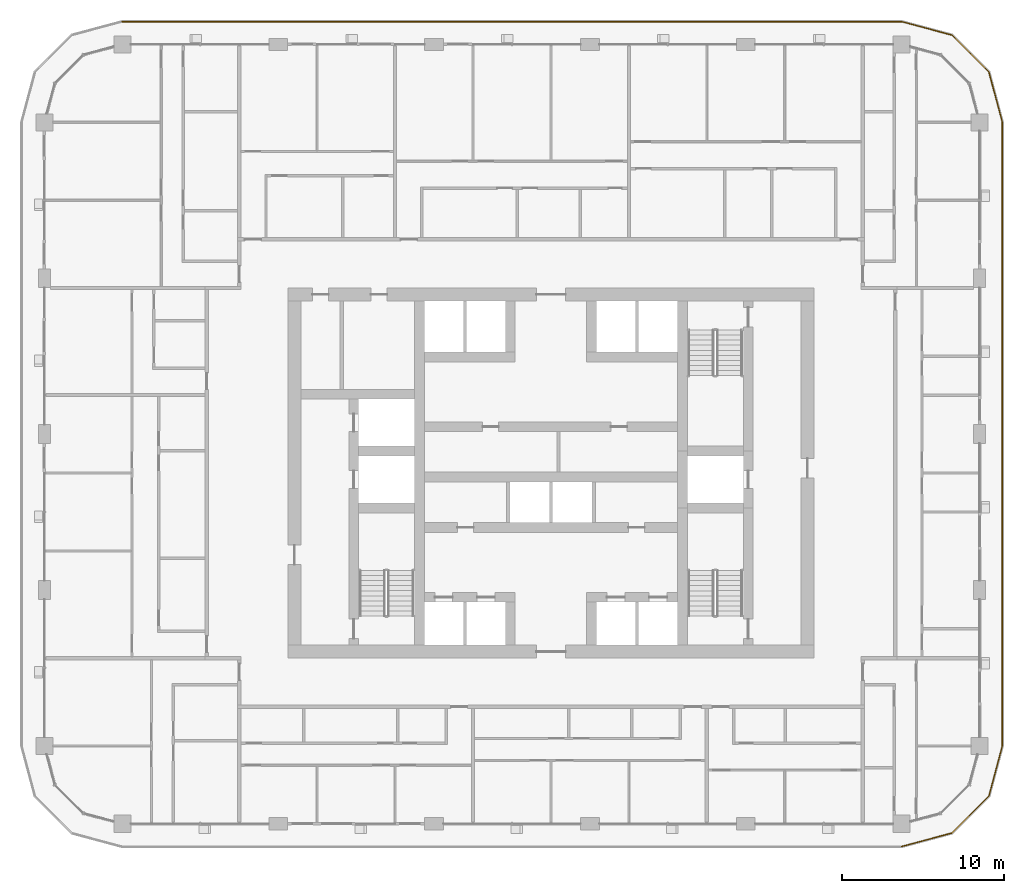
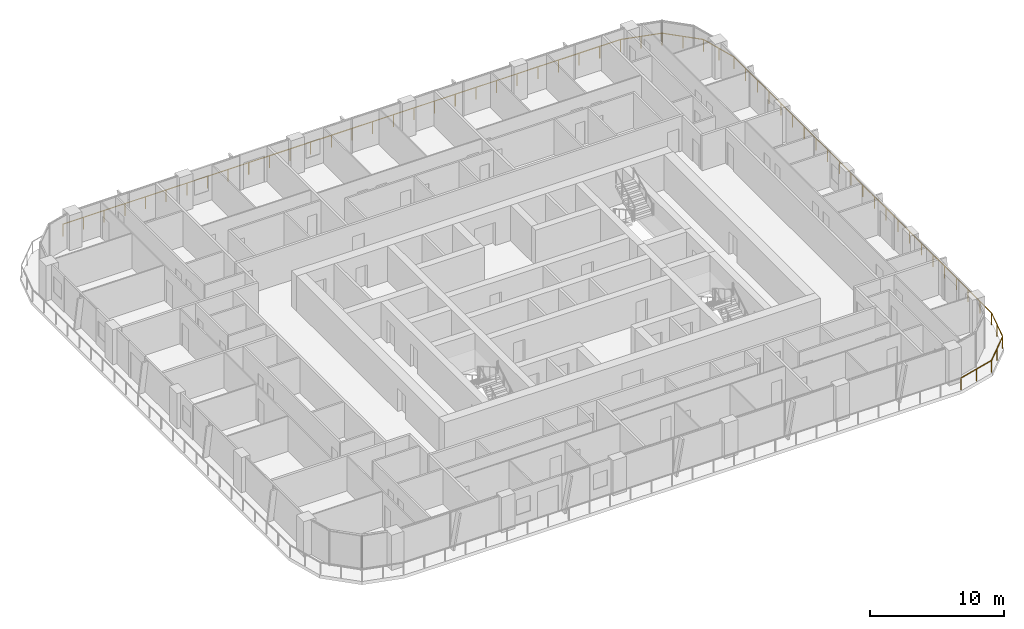
# One storey, part 20 of 22: 1 railing.
"""IFC4 building model written with IfcOpenShell, lengths in metres."""

from ifc_helpers import new_model, si_unit, direction, frame, origin, origin_2d, place, context, subcontext, project, spatial, circle, extrude, material, type_object, element, save


model = new_model("IFC4")

# Units and contexts
model_context = context("Model", 3, precision=1e-05, world=origin(), true_north=direction((0.0, 1.0)))
body_context = subcontext(model_context, "Body", "Model", "MODEL_VIEW")
ifc_project = project(units=[si_unit("LENGTHUNIT", "METRE"), si_unit("AREAUNIT", "SQUARE_METRE"), si_unit("VOLUMEUNIT", "CUBIC_METRE"), si_unit("PLANEANGLEUNIT", "RADIAN"), si_unit("MASSUNIT", "GRAM", prefix="KILO")], contexts=[model_context])

# Site, building, storey
site_placement = place(None, origin())
site = spatial("IfcSite", under=ifc_project, at=site_placement, CompositionType="ELEMENT")
building_placement = place(site_placement, origin())
building = spatial("IfcBuilding", under=site, at=building_placement, Name="Madar Terraces", CompositionType="ELEMENT")
storey_placement = place(building_placement, frame((0.0, 0.0, 129.60009765625)))
storey = spatial("IfcBuildingStorey", under=building, at=storey_placement, Name="L33", CompositionType="ELEMENT", Elevation=129.60009765625)

# Railing
ifc_material = material(Name="Glass, safety glazing, with stainless steel posts", Category="steel")
railing_type = type_object("IfcRailingType", Name="Balcony glass guard 1100", PredefinedType="GUARDRAIL", material=ifc_material)
railing_placement = place(storey_placement, frame((52.800048828125, 3.39990234375, 0.0)))
element("IfcRailing", 1, at=railing_placement, inside=storey, type_object=railing_type, Name="Balcony guard", PredefinedType="GUARDRAIL", context=body_context, shape_type="SweptSolid", body=[
    extrude(circle(Radius=0.02392578125, at=origin_2d()), frame((0.0, 0.0, 1.076171875), z_axis=(0.965909675762, 0.25887931217, 0.0), x_axis=(-0.25887931217, 0.965909675762, 0.0)), (0.0, 0.0, 1.0), 3.209228515625),
    extrude(circle(Radius=0.02392578125, at=origin_2d()), frame((3.099853515625, 0.830810546875, 1.076171875), z_axis=(0.707144815061, 0.707068745266, 0.0), x_axis=(-0.707068745266, 0.707144815061, 0.0)), (0.0, 0.0, 1.0), 3.20947265625),
    extrude(circle(Radius=0.02392578125, at=origin_2d()), frame((5.369384765625, 3.10009765625, 1.076171875), z_axis=(0.258789317819, 0.9659337912, 0.0), x_axis=(-0.9659337912, 0.258789317819, 0.0)), (0.0, 0.0, 1.0), 3.20947265625),
    extrude(circle(Radius=0.02392578125, at=origin_2d()), frame((6.199951171875, 6.2001953125, 1.076171875), z_axis=(0.0, 1.0, 0.0), x_axis=(-1.0, 0.0, 0.0)), (0.0, 0.0, 1.0), 38.39990234375),
    extrude(circle(Radius=0.02392578125, at=origin_2d()), frame((6.199951171875, 44.60009765625, 1.076171875), z_axis=(-0.258789317819, 0.9659337912, 0.0), x_axis=(-0.9659337912, -0.258789317819, 0.0)), (0.0, 0.0, 1.0), 3.20947265625),
    extrude(circle(Radius=0.02392578125, at=origin_2d()), frame((5.369384765625, 47.7001953125, 1.076171875), z_axis=(-0.707144815061, 0.707068745266, 0.0), x_axis=(-0.707068745266, -0.707144815061, 0.0)), (0.0, 0.0, 1.0), 3.20947265625),
    extrude(circle(Radius=0.02392578125, at=origin_2d()), frame((3.099853515625, 49.969482421875, 1.076171875), z_axis=(-0.965928696102, 0.258808334578, 0.0), x_axis=(-0.258808334578, -0.965928696102, 0.0)), (0.0, 0.0, 1.0), 3.209228515625),
    extrude(circle(Radius=0.02392578125, at=origin_2d()), frame((0.0, 50.800048828125, 1.076171875), z_axis=(-1.0, 0.0, 0.0), x_axis=(0.0, -1.0, 0.0)), (0.0, 0.0, 1.0), 48.0),
    extrude(circle(Radius=0.02099609375, at=origin_2d()), origin(), (0.0, 0.0, 1.0), 1.052001953125),
    extrude(circle(Radius=0.02099609375, at=origin_2d()), frame((1.5498046875, 0.41552734375, 0.0)), (0.0, 0.0, 1.0), 1.052001953125),
    extrude(circle(Radius=0.02099609375, at=origin_2d()), frame((3.099853515625, 0.830810546875, 0.0)), (0.0, 0.0, 1.0), 1.052001953125),
    extrude(circle(Radius=0.02099609375, at=origin_2d()), frame((4.234619140625, 1.96533203125, 0.0)), (0.0, 0.0, 1.0), 1.052001953125),
    extrude(circle(Radius=0.02099609375, at=origin_2d()), frame((5.369384765625, 3.10009765625, 0.0)), (0.0, 0.0, 1.0), 1.052001953125),
    extrude(circle(Radius=0.02099609375, at=origin_2d()), frame((5.78466796875, 4.650146484375, 0.0)), (0.0, 0.0, 1.0), 1.052001953125),
    extrude(circle(Radius=0.02099609375, at=origin_2d()), frame((6.199951171875, 6.2001953125, 0.0)), (0.0, 0.0, 1.0), 1.052001953125),
    extrude(circle(Radius=0.02099609375, at=origin_2d()), frame((6.199951171875, 7.945556640625, 0.0)), (0.0, 0.0, 1.0), 1.052001953125),
    extrude(circle(Radius=0.02099609375, at=origin_2d()), frame((6.199951171875, 9.691162109375, 0.0)), (0.0, 0.0, 1.0), 1.052001953125),
    extrude(circle(Radius=0.02099609375, at=origin_2d()), frame((6.199951171875, 11.4365234375, 0.0)), (0.0, 0.0, 1.0), 1.052001953125),
    extrude(circle(Radius=0.02099609375, at=origin_2d()), frame((6.199951171875, 13.181884765625, 0.0)), (0.0, 0.0, 1.0), 1.052001953125),
    extrude(circle(Radius=0.02099609375, at=origin_2d()), frame((6.199951171875, 14.927490234375, 0.0)), (0.0, 0.0, 1.0), 1.052001953125),
    extrude(circle(Radius=0.02099609375, at=origin_2d()), frame((6.199951171875, 16.6728515625, 0.0)), (0.0, 0.0, 1.0), 1.052001953125),
    extrude(circle(Radius=0.02099609375, at=origin_2d()), frame((6.199951171875, 18.41845703125, 0.0)), (0.0, 0.0, 1.0), 1.052001953125),
    extrude(circle(Radius=0.02099609375, at=origin_2d()), frame((6.199951171875, 20.163818359375, 0.0)), (0.0, 0.0, 1.0), 1.052001953125),
    extrude(circle(Radius=0.02099609375, at=origin_2d()), frame((6.199951171875, 21.9091796875, 0.0)), (0.0, 0.0, 1.0), 1.052001953125),
    extrude(circle(Radius=0.02099609375, at=origin_2d()), frame((6.199951171875, 23.65478515625, 0.0)), (0.0, 0.0, 1.0), 1.052001953125),
    extrude(circle(Radius=0.02099609375, at=origin_2d()), frame((6.199951171875, 25.400146484375, 0.0)), (0.0, 0.0, 1.0), 1.052001953125),
    extrude(circle(Radius=0.02099609375, at=origin_2d()), frame((6.199951171875, 27.1455078125, 0.0)), (0.0, 0.0, 1.0), 1.052001953125),
    extrude(circle(Radius=0.02099609375, at=origin_2d()), frame((6.199951171875, 28.89111328125, 0.0)), (0.0, 0.0, 1.0), 1.052001953125),
    extrude(circle(Radius=0.02099609375, at=origin_2d()), frame((6.199951171875, 30.636474609375, 0.0)), (0.0, 0.0, 1.0), 1.052001953125),
    extrude(circle(Radius=0.02099609375, at=origin_2d()), frame((6.199951171875, 32.3818359375, 0.0)), (0.0, 0.0, 1.0), 1.052001953125),
    extrude(circle(Radius=0.02099609375, at=origin_2d()), frame((6.199951171875, 34.12744140625, 0.0)), (0.0, 0.0, 1.0), 1.052001953125),
    extrude(circle(Radius=0.02099609375, at=origin_2d()), frame((6.199951171875, 35.872802734375, 0.0)), (0.0, 0.0, 1.0), 1.052001953125),
    extrude(circle(Radius=0.02099609375, at=origin_2d()), frame((6.199951171875, 37.618408203125, 0.0)), (0.0, 0.0, 1.0), 1.052001953125),
    extrude(circle(Radius=0.02099609375, at=origin_2d()), frame((6.199951171875, 39.36376953125, 0.0)), (0.0, 0.0, 1.0), 1.052001953125),
    extrude(circle(Radius=0.02099609375, at=origin_2d()), frame((6.199951171875, 41.109130859375, 0.0)), (0.0, 0.0, 1.0), 1.052001953125),
    extrude(circle(Radius=0.02099609375, at=origin_2d()), frame((6.199951171875, 42.854736328125, 0.0)), (0.0, 0.0, 1.0), 1.052001953125),
    extrude(circle(Radius=0.02099609375, at=origin_2d()), frame((6.199951171875, 44.60009765625, 0.0)), (0.0, 0.0, 1.0), 1.052001953125),
    extrude(circle(Radius=0.02099609375, at=origin_2d()), frame((5.78466796875, 46.150146484375, 0.0)), (0.0, 0.0, 1.0), 1.052001953125),
    extrude(circle(Radius=0.02099609375, at=origin_2d()), frame((5.369384765625, 47.7001953125, 0.0)), (0.0, 0.0, 1.0), 1.052001953125),
    extrude(circle(Radius=0.02099609375, at=origin_2d()), frame((4.234619140625, 48.8349609375, 0.0)), (0.0, 0.0, 1.0), 1.052001953125),
    extrude(circle(Radius=0.02099609375, at=origin_2d()), frame((3.099853515625, 49.969482421875, 0.0)), (0.0, 0.0, 1.0), 1.052001953125),
    extrude(circle(Radius=0.02099609375, at=origin_2d()), frame((1.5498046875, 50.384765625, 0.0)), (0.0, 0.0, 1.0), 1.052001953125),
    extrude(circle(Radius=0.02099609375, at=origin_2d()), frame((0.0, 50.800048828125, 0.0)), (0.0, 0.0, 1.0), 1.052001953125),
    extrude(circle(Radius=0.02099609375, at=origin_2d()), frame((-1.77783203125, 50.800048828125, 0.0)), (0.0, 0.0, 1.0), 1.052001953125),
    extrude(circle(Radius=0.02099609375, at=origin_2d()), frame((-3.5556640625, 50.800048828125, 0.0)), (0.0, 0.0, 1.0), 1.052001953125),
    extrude(circle(Radius=0.02099609375, at=origin_2d()), frame((-5.333251953125, 50.800048828125, 0.0)), (0.0, 0.0, 1.0), 1.052001953125),
    extrude(circle(Radius=0.02099609375, at=origin_2d()), frame((-7.111083984375, 50.800048828125, 0.0)), (0.0, 0.0, 1.0), 1.052001953125),
    extrude(circle(Radius=0.02099609375, at=origin_2d()), frame((-8.888916015625, 50.800048828125, 0.0)), (0.0, 0.0, 1.0), 1.052001953125),
    extrude(circle(Radius=0.02099609375, at=origin_2d()), frame((-10.666748046875, 50.800048828125, 0.0)), (0.0, 0.0, 1.0), 1.052001953125),
    extrude(circle(Radius=0.02099609375, at=origin_2d()), frame((-12.4443359375, 50.800048828125, 0.0)), (0.0, 0.0, 1.0), 1.052001953125),
    extrude(circle(Radius=0.02099609375, at=origin_2d()), frame((-14.22216796875, 50.800048828125, 0.0)), (0.0, 0.0, 1.0), 1.052001953125),
    extrude(circle(Radius=0.02099609375, at=origin_2d()), frame((-16.0, 50.800048828125, 0.0)), (0.0, 0.0, 1.0), 1.052001953125),
    extrude(circle(Radius=0.02099609375, at=origin_2d()), frame((-17.77783203125, 50.800048828125, 0.0)), (0.0, 0.0, 1.0), 1.052001953125),
    extrude(circle(Radius=0.02099609375, at=origin_2d()), frame((-19.5556640625, 50.800048828125, 0.0)), (0.0, 0.0, 1.0), 1.052001953125),
    extrude(circle(Radius=0.02099609375, at=origin_2d()), frame((-21.333251953125, 50.800048828125, 0.0)), (0.0, 0.0, 1.0), 1.052001953125),
    extrude(circle(Radius=0.02099609375, at=origin_2d()), frame((-23.111083984375, 50.800048828125, 0.0)), (0.0, 0.0, 1.0), 1.052001953125),
    extrude(circle(Radius=0.02099609375, at=origin_2d()), frame((-24.888916015625, 50.800048828125, 0.0)), (0.0, 0.0, 1.0), 1.052001953125),
    extrude(circle(Radius=0.02099609375, at=origin_2d()), frame((-26.666748046875, 50.800048828125, 0.0)), (0.0, 0.0, 1.0), 1.052001953125),
    extrude(circle(Radius=0.02099609375, at=origin_2d()), frame((-28.4443359375, 50.800048828125, 0.0)), (0.0, 0.0, 1.0), 1.052001953125),
    extrude(circle(Radius=0.02099609375, at=origin_2d()), frame((-30.22216796875, 50.800048828125, 0.0)), (0.0, 0.0, 1.0), 1.052001953125),
    extrude(circle(Radius=0.02099609375, at=origin_2d()), frame((-32.0, 50.800048828125, 0.0)), (0.0, 0.0, 1.0), 1.052001953125),
    extrude(circle(Radius=0.02099609375, at=origin_2d()), frame((-33.77783203125, 50.800048828125, 0.0)), (0.0, 0.0, 1.0), 1.052001953125),
    extrude(circle(Radius=0.02099609375, at=origin_2d()), frame((-35.5556640625, 50.800048828125, 0.0)), (0.0, 0.0, 1.0), 1.052001953125),
    extrude(circle(Radius=0.02099609375, at=origin_2d()), frame((-37.333251953125, 50.800048828125, 0.0)), (0.0, 0.0, 1.0), 1.052001953125),
    extrude(circle(Radius=0.02099609375, at=origin_2d()), frame((-39.111083984375, 50.800048828125, 0.0)), (0.0, 0.0, 1.0), 1.052001953125),
    extrude(circle(Radius=0.02099609375, at=origin_2d()), frame((-40.888916015625, 50.800048828125, 0.0)), (0.0, 0.0, 1.0), 1.052001953125),
    extrude(circle(Radius=0.02099609375, at=origin_2d()), frame((-42.666748046875, 50.800048828125, 0.0)), (0.0, 0.0, 1.0), 1.052001953125),
    extrude(circle(Radius=0.02099609375, at=origin_2d()), frame((-44.4443359375, 50.800048828125, 0.0)), (0.0, 0.0, 1.0), 1.052001953125),
    extrude(circle(Radius=0.02099609375, at=origin_2d()), frame((-46.22216796875, 50.800048828125, 0.0)), (0.0, 0.0, 1.0), 1.052001953125),
    extrude(circle(Radius=0.02099609375, at=origin_2d()), frame((-48.0, 50.800048828125, 0.0)), (0.0, 0.0, 1.0), 1.052001953125),
])

save(model, "model.ifc")
